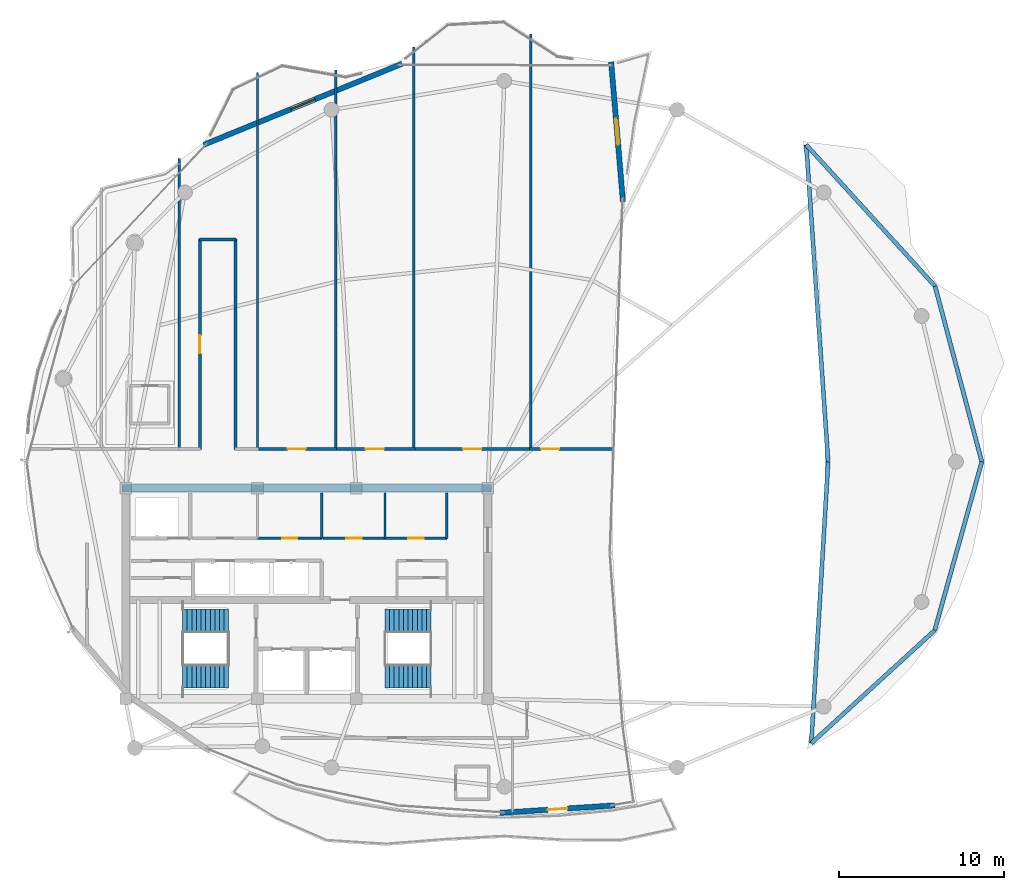
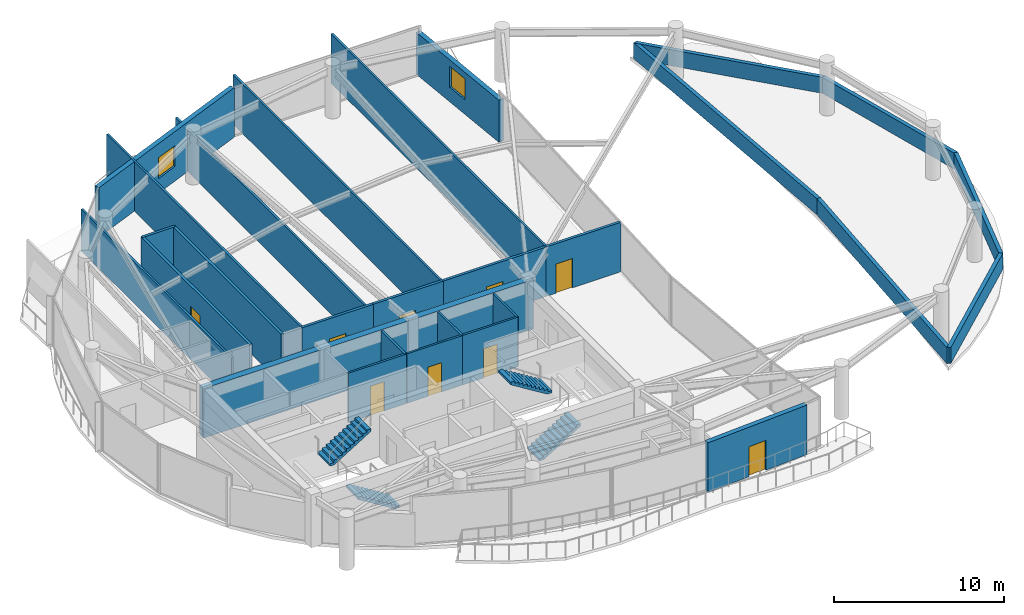
# One storey, part 20 of 23: 28 walls, 9 doors, 4 stair flights, 2 windows, 11 openings, 2 elements without a shape of their own.
"""IFC4 building model written with IfcOpenShell, lengths in metres."""

from ifc_helpers import new_model, si_unit, direction, frame, frame_2d, origin, place, context, subcontext, project, spatial, polyline, rectangle, outline, extrude, material, layer, layer_set, type_object, element, fill, aggregate, save


model = new_model("IFC4")

# Units and contexts
model_context = context("Model", 3, precision=1e-05, world=origin(), true_north=direction((0.0, 1.0)))
body_context = subcontext(model_context, "Body", "Model", "MODEL_VIEW")
ifc_project = project(units=[si_unit("LENGTHUNIT", "METRE"), si_unit("AREAUNIT", "SQUARE_METRE"), si_unit("VOLUMEUNIT", "CUBIC_METRE"), si_unit("PLANEANGLEUNIT", "RADIAN"), si_unit("MASSUNIT", "GRAM", prefix="KILO")], contexts=[model_context])

# Site, building, storey
site_placement = place(None, origin())
site = spatial("IfcSite", under=ifc_project, at=site_placement, CompositionType="ELEMENT")
building_placement = place(site_placement, origin())
building = spatial("IfcBuilding", under=site, at=building_placement, Name="Kazevale Care Tower and Concert Hall", CompositionType="ELEMENT")
storey_placement = place(building_placement, frame((0.0, 0.0, 266.199951171875)))
storey = spatial("IfcBuildingStorey", under=building, at=storey_placement, Name="L70", CompositionType="ELEMENT", Elevation=266.199951171875)

# Wall, opening, door
ifc_material_1 = material(Name="Acoustic Gypsum on Steel Stud", Category="steel")
ifc_layer_1 = layer(ifc_material_1, 0.139892578125)
ifc_layer_set_1 = layer_set([ifc_layer_1], Name="Acoustic Gypsum on Steel Stud")
wall_type_1 = type_object("IfcWallType", Name="Acoustic Care & Suite Partition 140", PredefinedType="PARTITIONING", material=ifc_layer_set_1)
wall_1_placement = place(storey_placement, frame((30.0, 33.35009765625, 0.0), z_axis=(0.0, 0.0, 1.0), x_axis=(1.0, 0.0, 0.0)))
wall_1 = element("IfcWall", 1, at=wall_1_placement, inside=storey, type_object=wall_type_1, Name="wall:L70:c_rpl2_s", PredefinedType="PARTITIONING", context=body_context, shape_type="SweptSolid", body=[
    extrude(rectangle(XDim=3.919921875, YDim=0.139892578125, at=frame_2d((1.9599609375, 0.0))), origin(), (0.0, 0.0, 1.0), 3.56005859375),
])
opening_1_placement = place(wall_1_placement, frame((1.5, 0.0, 0.0)))
opening_1 = element("IfcOpeningElement", 2, at=opening_1_placement, cuts=wall_1, Name="Opening ID-900", PredefinedType="OPENING", context=body_context, shape_type="SweptSolid", body=[
    extrude(rectangle(XDim=0.919921875, YDim=2.10009765625, at=frame_2d((0.4599609375, 1.050048828125))), frame((0.0, 0.079833984375, 0.0), z_axis=(0.0, -1.0, 0.0), x_axis=(1.0, 0.0, 0.0)), (0.0, 0.0, 1.0), 0.159912109375),
])
ifc_material_2 = material(Name="Oak Timber Fire Leaf", Category="wood")
door_type_1 = type_object("IfcDoorType", Name="Bathroom & Service Door 920x2100", OperationType="NOTDEFINED", PredefinedType="DOOR", material=ifc_material_2)
door_1_placement = place(opening_1_placement, origin())
door_1 = element("IfcDoor", 3, at=door_1_placement, inside=storey, type_object=door_type_1, Name="door:L70:d_rpl2", OperationType="SINGLE_SWING_RIGHT", OverallHeight=2.10009765625, OverallWidth=0.919921875, PredefinedType="DOOR", context=body_context, shape_type="SweptSolid", body=[
    extrude(rectangle(XDim=0.919921875, YDim=2.10009765625, at=frame_2d((0.4599609375, 1.050048828125))), frame((0.0, 0.02490234375, 0.0), z_axis=(0.0, -1.0, 0.0), x_axis=(1.0, 0.0, 0.0)), (0.0, 0.0, 1.0), 0.050048828125),
])
fill(opening_1, door_1)

# Wall
wall_2_placement = place(storey_placement, frame((33.89990234375, 33.35009765625, 0.0), z_axis=(0.0, 0.0, 1.0), x_axis=(0.0, 1.0, 0.0)))
element("IfcWall", 4, at=wall_2_placement, inside=storey, type_object=wall_type_1, Name="wall:L70:c_rpl_e", PredefinedType="PARTITIONING", context=body_context, shape_type="SweptSolid", body=[
    extrude(rectangle(XDim=2.75, YDim=0.139892578125, at=frame_2d((1.375, 0.0))), origin(), (0.0, 0.0, 1.0), 3.56005859375),
])

# Wall, opening, door
wall_3_placement = place(storey_placement, frame((33.97998046875, 33.35009765625, 0.0), z_axis=(0.0, 0.0, 1.0), x_axis=(1.0, 0.0, 0.0)))
wall_3 = element("IfcWall", 5, at=wall_3_placement, inside=storey, type_object=wall_type_1, Name="wall:L70:c_rpm1_s", PredefinedType="PARTITIONING", context=body_context, shape_type="SweptSolid", body=[
    extrude(rectangle(XDim=3.77001953125, YDim=0.139892578125, at=frame_2d((1.885009765625, 0.0))), origin(), (0.0, 0.0, 1.0), 3.56005859375),
])
opening_2_placement = place(wall_3_placement, frame((1.425048828125, 0.0, 0.0)))
opening_2 = element("IfcOpeningElement", 6, at=opening_2_placement, cuts=wall_3, Name="Opening ID-900", PredefinedType="OPENING", context=body_context, shape_type="SweptSolid", body=[
    extrude(rectangle(XDim=0.919921875, YDim=2.10009765625, at=frame_2d((0.4599609375, 1.050048828125))), frame((0.0, 0.079833984375, 0.0), z_axis=(0.0, -1.0, 0.0), x_axis=(1.0, 0.0, 0.0)), (0.0, 0.0, 1.0), 0.159912109375),
])
door_2_placement = place(opening_2_placement, origin())
door_2 = element("IfcDoor", 7, at=door_2_placement, inside=storey, type_object=door_type_1, Name="door:L70:d_rpm1", OperationType="SINGLE_SWING_LEFT", OverallHeight=2.10009765625, OverallWidth=0.919921875, PredefinedType="DOOR", context=body_context, shape_type="SweptSolid", body=[
    extrude(rectangle(XDim=0.919921875, YDim=2.10009765625, at=frame_2d((0.4599609375, 1.050048828125))), frame((0.0, 0.02490234375, 0.0), z_axis=(0.0, -1.0, 0.0), x_axis=(1.0, 0.0, 0.0)), (0.0, 0.0, 1.0), 0.050048828125),
])
fill(opening_2, door_2)

wall_4_placement = place(storey_placement, frame((37.75, 33.35009765625, 0.0), z_axis=(0.0, 0.0, 1.0), x_axis=(1.0, 0.0, 0.0)))
wall_4 = element("IfcWall", 8, at=wall_4_placement, inside=storey, type_object=wall_type_1, Name="wall:L70:c_rpm2_s", PredefinedType="PARTITIONING", context=body_context, shape_type="SweptSolid", body=[
    extrude(rectangle(XDim=3.77001953125, YDim=0.139892578125, at=frame_2d((1.885009765625, 0.0))), origin(), (0.0, 0.0, 1.0), 3.56005859375),
])
opening_3_placement = place(wall_4_placement, frame((1.425048828125, 0.0, 0.0)))
opening_3 = element("IfcOpeningElement", 9, at=opening_3_placement, cuts=wall_4, Name="Opening ID-900", PredefinedType="OPENING", context=body_context, shape_type="SweptSolid", body=[
    extrude(rectangle(XDim=0.919921875, YDim=2.10009765625, at=frame_2d((0.4599609375, 1.050048828125))), frame((0.0, 0.079833984375, 0.0), z_axis=(0.0, -1.0, 0.0), x_axis=(1.0, 0.0, 0.0)), (0.0, 0.0, 1.0), 0.159912109375),
])
door_3_placement = place(opening_3_placement, origin())
door_3 = element("IfcDoor", 10, at=door_3_placement, inside=storey, type_object=door_type_1, Name="door:L70:d_rpm2", OperationType="SINGLE_SWING_RIGHT", OverallHeight=2.10009765625, OverallWidth=0.919921875, PredefinedType="DOOR", context=body_context, shape_type="SweptSolid", body=[
    extrude(rectangle(XDim=0.919921875, YDim=2.10009765625, at=frame_2d((0.4599609375, 1.050048828125))), frame((0.0, 0.02490234375, 0.0), z_axis=(0.0, -1.0, 0.0), x_axis=(1.0, 0.0, 0.0)), (0.0, 0.0, 1.0), 0.050048828125),
])
fill(opening_3, door_3)

# Walls
for number, where, z_axis, x_axis, name in (
    (11, (37.75, 33.35009765625, 0.0), (0.0, 0.0, 1.0), (0.0, 1.0, 0.0), "wall:L70:c_rpm_m"),
    (12, (41.5, 33.35009765625, 0.0), (0.0, 0.0, 1.0), (0.0, 1.0, 0.0), "wall:L70:c_rpm_e"),
):
    element("IfcWall", number, at=place(storey_placement, frame(where, z_axis=z_axis, x_axis=x_axis)), inside=storey, type_object=wall_type_1, Name=name, PredefinedType="PARTITIONING", context=body_context, shape_type="SweptSolid", body=[
        extrude(rectangle(XDim=2.75, YDim=0.139892578125, at=frame_2d((1.375, 0.0))), origin(), (0.0, 0.0, 1.0), 3.56005859375),
    ])
wall_5_placement = place(storey_placement, frame((25.25, 56.445068359375, 0.0), z_axis=(0.0, 0.0, 1.0), x_axis=(0.0, -1.0, 0.0)))
element("IfcWall", 13, at=wall_5_placement, inside=storey, type_object=wall_type_1, Name="wall:L70:auto_017", PredefinedType="PARTITIONING", context=body_context, shape_type="SweptSolid", body=[
    extrude(rectangle(XDim=17.699951171875, YDim=0.139892578125, at=frame_2d((8.85009765625, 0.0))), origin(), (0.0, 0.0, 1.0), 3.006103515625),
])
wall_6_placement = place(storey_placement, frame((30.0, 61.6640625, 0.0), z_axis=(0.0, 0.0, 1.0), x_axis=(0.0, -1.0, 0.0)))
element("IfcWall", 14, at=wall_6_placement, inside=storey, type_object=wall_type_1, Name="wall:L70:auto_018", PredefinedType="PARTITIONING", context=body_context, shape_type="SweptSolid", body=[
    extrude(rectangle(XDim=22.9189453125, YDim=0.139892578125, at=frame_2d((11.45947265625, 0.0))), origin(), (0.0, 0.0, 1.0), 3.56005859375),
])
wall_7_placement = place(storey_placement, frame((34.75, 61.80810546875, 0.0), z_axis=(0.0, 0.0, 1.0), x_axis=(0.0, -1.0, 0.0)))
element("IfcWall", 15, at=wall_7_placement, inside=storey, type_object=wall_type_1, Name="wall:L70:auto_019", PredefinedType="PARTITIONING", context=body_context, shape_type="SweptSolid", body=[
    extrude(rectangle(XDim=23.06298828125, YDim=0.139892578125, at=frame_2d((11.531494140625, 0.0))), origin(), (0.0, 0.0, 1.0), 3.006103515625),
])
wall_8_placement = place(storey_placement, frame((39.5, 63.222900390625, 0.0), z_axis=(0.0, 0.0, 1.0), x_axis=(0.0, -1.0, 0.0)))
element("IfcWall", 16, at=wall_8_placement, inside=storey, type_object=wall_type_1, Name="wall:L70:auto_020", PredefinedType="PARTITIONING", context=body_context, shape_type="SweptSolid", body=[
    extrude(rectangle(XDim=24.477783203125, YDim=0.139892578125, at=frame_2d((12.23876953125, 0.0))), origin(), (0.0, 0.0, 1.0), 3.56005859375),
])
wall_9_placement = place(storey_placement, frame((46.60009765625, 63.985107421875, 0.0), z_axis=(0.0, 0.0, 1.0), x_axis=(0.0, -1.0, 0.0)))
element("IfcWall", 17, at=wall_9_placement, inside=storey, type_object=wall_type_1, Name="wall:L70:auto_021", PredefinedType="PARTITIONING", context=body_context, shape_type="SweptSolid", body=[
    extrude(rectangle(XDim=25.239990234375, YDim=0.139892578125, at=frame_2d((12.6201171875, 0.0))), origin(), (0.0, 0.0, 1.0), 3.56005859375),
])
ifc_material_3 = material(Name="Concrete C50", Category="concrete")
ifc_layer_2 = layer(ifc_material_3, 0.449951171875)
ifc_layer_set_2 = layer_set([ifc_layer_2], Name="Concrete C50")
wall_type_2 = type_object("IfcWallType", Name="Core Shear Wall 450 C50", PredefinedType="SHEAR", material=ifc_layer_set_2)
wall_10_placement = place(storey_placement, frame((21.77490234375, 36.39990234375, 0.0), z_axis=(0.0, 0.0, 1.0), x_axis=(1.0, 0.0, 0.0)))
element("IfcWall", 18, at=wall_10_placement, inside=storey, type_object=wall_type_2, Name="wall:L70:core:N", PredefinedType="SHEAR", context=body_context, shape_type="SweptSolid", body=[
    extrude(rectangle(XDim=22.4501953125, YDim=0.449951171875, at=frame_2d((11.22509765625, 0.0))), origin(), (0.0, 0.0, 1.0), 3.56005859375),
])

# Wall, opening, door
ifc_material_4 = material(Name="Concrete C40 and Acoustic Gypsum", Category="concrete")
ifc_layer_3 = layer(ifc_material_4, 0.179931640625)
ifc_layer_set_3 = layer_set([ifc_layer_3], Name="Concrete C40 and Acoustic Gypsum")
wall_type_3 = type_object("IfcWallType", Name="Fire-Rated Corridor & Party Wall 180", PredefinedType="PARTITIONING", material=ifc_layer_set_3)
wall_11_placement = place(storey_placement, frame((26.5, 38.7451171875, 0.0), z_axis=(0.0, 0.0, 1.0), x_axis=(0.0, 1.0, 0.0)))
wall_11 = element("IfcWall", 19, at=wall_11_placement, inside=storey, type_object=wall_type_3, Name="wall:L70:auto_003", PredefinedType="PARTITIONING", context=body_context, shape_type="SweptSolid", body=[
    extrude(rectangle(XDim=12.784912109375, YDim=0.179931640625, at=frame_2d((6.392578125, 0.0))), origin(), (0.0, 0.0, 1.0), 3.56005859375),
])
opening_4_placement = place(wall_11_placement, frame((5.843017578125, 0.0, 0.0)))
opening_4 = element("IfcOpeningElement", 20, at=opening_4_placement, cuts=wall_11, Name="Opening ID-1100", PredefinedType="OPENING", context=body_context, shape_type="SweptSolid", body=[
    extrude(rectangle(XDim=1.10009765625, YDim=2.10009765625, at=frame_2d((0.550048828125, 1.050048828125))), frame((0.0, 0.099853515625, 0.0), z_axis=(0.0, -1.0, 0.0), x_axis=(1.0, 0.0, 0.0)), (0.0, 0.0, 1.0), 0.199951171875),
])
door_type_2 = type_object("IfcDoorType", Name="Care Bedroom Accessible Door 1100x2100", OperationType="NOTDEFINED", PredefinedType="DOOR", material=ifc_material_2)
door_4_placement = place(opening_4_placement, origin())
door_4 = element("IfcDoor", 21, at=door_4_placement, inside=storey, type_object=door_type_2, Name="door:L70:ad_003", OperationType="SINGLE_SWING_LEFT", OverallHeight=2.10009765625, OverallWidth=1.10009765625, PredefinedType="DOOR", context=body_context, shape_type="SweptSolid", body=[
    extrude(rectangle(XDim=1.10009765625, YDim=2.10009765625, at=frame_2d((0.550048828125, 1.050048828125))), frame((0.0, 0.02490234375, 0.0), z_axis=(0.0, -1.0, 0.0), x_axis=(1.0, 0.0, 0.0)), (0.0, 0.0, 1.0), 0.050048828125),
])
fill(opening_4, door_4)

# Walls
wall_12_placement = place(storey_placement, frame((28.64990234375, 51.530029296875, 0.0), z_axis=(0.0, 0.0, 1.0), x_axis=(0.0, -1.0, 0.0)))
element("IfcWall", 22, at=wall_12_placement, inside=storey, type_object=wall_type_3, Name="wall:L70:auto_004", PredefinedType="PARTITIONING", context=body_context, shape_type="SweptSolid", body=[
    extrude(rectangle(XDim=12.784912109375, YDim=0.179931640625, at=frame_2d((6.392578125, 0.0))), origin(), (0.0, 0.0, 1.0), 3.56005859375),
])
wall_13_placement = place(storey_placement, frame((26.469970703125, 51.5, 0.0), z_axis=(0.0, 0.0, 1.0), x_axis=(1.0, 0.0, 0.0)))
element("IfcWall", 23, at=wall_13_placement, inside=storey, type_object=wall_type_3, Name="wall:L70:auto_005", PredefinedType="PARTITIONING", context=body_context, shape_type="SweptSolid", body=[
    extrude(rectangle(XDim=2.2099609375, YDim=0.179931640625, at=frame_2d((1.10498046875, 0.0))), origin(), (0.0, 0.0, 1.0), 3.56005859375),
])

# Wall, opening, door
wall_14_placement = place(storey_placement, frame((29.93505859375, 38.77490234375, 0.0), z_axis=(0.0, 0.0, 1.0), x_axis=(1.0, 0.0, 0.0)))
wall_14 = element("IfcWall", 24, at=wall_14_placement, inside=storey, type_object=wall_type_3, Name="wall:L70:auto_008", PredefinedType="PARTITIONING", context=body_context, shape_type="SweptSolid", body=[
    extrude(rectangle(XDim=4.8798828125, YDim=0.179931640625, at=frame_2d((2.43994140625, 0.0))), origin(), (0.0, 0.0, 1.0), 3.56005859375),
])
opening_5_placement = place(wall_14_placement, frame((1.889892578125, 0.0, 0.0)))
opening_5 = element("IfcOpeningElement", 25, at=opening_5_placement, cuts=wall_14, Name="Opening ID-1100", PredefinedType="OPENING", context=body_context, shape_type="SweptSolid", body=[
    extrude(rectangle(XDim=1.10009765625, YDim=2.10009765625, at=frame_2d((0.550048828125, 1.050048828125))), frame((0.0, 0.099853515625, 0.0), z_axis=(0.0, -1.0, 0.0), x_axis=(1.0, 0.0, 0.0)), (0.0, 0.0, 1.0), 0.199951171875),
])
door_5_placement = place(opening_5_placement, origin())
door_5 = element("IfcDoor", 26, at=door_5_placement, inside=storey, type_object=door_type_2, Name="door:L70:ad_008", OperationType="SINGLE_SWING_LEFT", OverallHeight=2.10009765625, OverallWidth=1.10009765625, PredefinedType="DOOR", context=body_context, shape_type="SweptSolid", body=[
    extrude(rectangle(XDim=1.10009765625, YDim=2.10009765625, at=frame_2d((0.550048828125, 1.050048828125))), frame((0.0, 0.02490234375, 0.0), z_axis=(0.0, -1.0, 0.0), x_axis=(1.0, 0.0, 0.0)), (0.0, 0.0, 1.0), 0.050048828125),
])
fill(opening_5, door_5)

wall_15_placement = place(storey_placement, frame((34.68505859375, 38.77490234375, 0.0), z_axis=(0.0, 0.0, 1.0), x_axis=(1.0, 0.0, 0.0)))
wall_15 = element("IfcWall", 27, at=wall_15_placement, inside=storey, type_object=wall_type_3, Name="wall:L70:auto_009", PredefinedType="PARTITIONING", context=body_context, shape_type="SweptSolid", body=[
    extrude(rectangle(XDim=4.8798828125, YDim=0.179931640625, at=frame_2d((2.43994140625, 0.0))), origin(), (0.0, 0.0, 1.0), 3.56005859375),
])
opening_6_placement = place(wall_15_placement, frame((1.889892578125, 0.0, 0.0)))
opening_6 = element("IfcOpeningElement", 28, at=opening_6_placement, cuts=wall_15, Name="Opening ID-1100", PredefinedType="OPENING", context=body_context, shape_type="SweptSolid", body=[
    extrude(rectangle(XDim=1.10009765625, YDim=2.10009765625, at=frame_2d((0.550048828125, 1.050048828125))), frame((0.0, 0.099853515625, 0.0), z_axis=(0.0, -1.0, 0.0), x_axis=(1.0, 0.0, 0.0)), (0.0, 0.0, 1.0), 0.199951171875),
])
door_6_placement = place(opening_6_placement, origin())
door_6 = element("IfcDoor", 29, at=door_6_placement, inside=storey, type_object=door_type_2, Name="door:L70:ad_009", OperationType="SINGLE_SWING_LEFT", OverallHeight=2.10009765625, OverallWidth=1.10009765625, PredefinedType="DOOR", context=body_context, shape_type="SweptSolid", body=[
    extrude(rectangle(XDim=1.10009765625, YDim=2.10009765625, at=frame_2d((0.550048828125, 1.050048828125))), frame((0.0, 0.02490234375, 0.0), z_axis=(0.0, -1.0, 0.0), x_axis=(1.0, 0.0, 0.0)), (0.0, 0.0, 1.0), 0.050048828125),
])
fill(opening_6, door_6)

wall_16_placement = place(storey_placement, frame((39.43505859375, 38.77490234375, 0.0), z_axis=(0.0, 0.0, 1.0), x_axis=(1.0, 0.0, 0.0)))
wall_16 = element("IfcWall", 30, at=wall_16_placement, inside=storey, type_object=wall_type_3, Name="wall:L70:auto_010", PredefinedType="PARTITIONING", context=body_context, shape_type="SweptSolid", body=[
    extrude(rectangle(XDim=7.22998046875, YDim=0.179931640625, at=frame_2d((3.614990234375, 0.0))), origin(), (0.0, 0.0, 1.0), 3.56005859375),
])
opening_7_placement = place(wall_16_placement, frame((3.06494140625, 0.0, 0.0)))
opening_7 = element("IfcOpeningElement", 31, at=opening_7_placement, cuts=wall_16, Name="Opening ID-1100", PredefinedType="OPENING", context=body_context, shape_type="SweptSolid", body=[
    extrude(rectangle(XDim=1.10009765625, YDim=2.10009765625, at=frame_2d((0.550048828125, 1.050048828125))), frame((0.0, 0.099853515625, 0.0), z_axis=(0.0, -1.0, 0.0), x_axis=(1.0, 0.0, 0.0)), (0.0, 0.0, 1.0), 0.199951171875),
])
door_7_placement = place(opening_7_placement, origin())
door_7 = element("IfcDoor", 32, at=door_7_placement, inside=storey, type_object=door_type_2, Name="door:L70:ad_010", OperationType="SINGLE_SWING_LEFT", OverallHeight=2.10009765625, OverallWidth=1.10009765625, PredefinedType="DOOR", context=body_context, shape_type="SweptSolid", body=[
    extrude(rectangle(XDim=1.10009765625, YDim=2.10009765625, at=frame_2d((0.550048828125, 1.050048828125))), frame((0.0, 0.02490234375, 0.0), z_axis=(0.0, -1.0, 0.0), x_axis=(1.0, 0.0, 0.0)), (0.0, 0.0, 1.0), 0.050048828125),
])
fill(opening_7, door_7)

wall_17_placement = place(storey_placement, frame((46.534912109375, 38.77490234375, 0.0), z_axis=(0.0, 0.0, 1.0), x_axis=(1.0, 0.0, 0.0)))
wall_17 = element("IfcWall", 33, at=wall_17_placement, inside=storey, type_object=wall_type_3, Name="wall:L70:auto_011", PredefinedType="PARTITIONING", context=body_context, shape_type="SweptSolid", body=[
    extrude(rectangle(XDim=5.10107421875, YDim=0.179931640625, at=frame_2d((2.550537109375, 0.0))), origin(), (0.0, 0.0, 1.0), 3.56005859375),
])
opening_8_placement = place(wall_17_placement, frame((0.697998046875, 0.0, 0.0)))
opening_8 = element("IfcOpeningElement", 34, at=opening_8_placement, cuts=wall_17, Name="Opening ID-1100", PredefinedType="OPENING", context=body_context, shape_type="SweptSolid", body=[
    extrude(rectangle(XDim=1.10009765625, YDim=2.10009765625, at=frame_2d((0.550048828125, 1.050048828125))), frame((0.0, 0.099853515625, 0.0), z_axis=(0.0, -1.0, 0.0), x_axis=(1.0, 0.0, 0.0)), (0.0, 0.0, 1.0), 0.199951171875),
])
door_8_placement = place(opening_8_placement, origin())
door_8 = element("IfcDoor", 35, at=door_8_placement, inside=storey, type_object=door_type_2, Name="door:L70:ad_011", OperationType="SINGLE_SWING_LEFT", OverallHeight=2.10009765625, OverallWidth=1.10009765625, PredefinedType="DOOR", context=body_context, shape_type="SweptSolid", body=[
    extrude(rectangle(XDim=1.10009765625, YDim=2.10009765625, at=frame_2d((0.550048828125, 1.050048828125))), frame((0.0, 0.02490234375, 0.0), z_axis=(0.0, -1.0, 0.0), x_axis=(1.0, 0.0, 0.0)), (0.0, 0.0, 1.0), 0.050048828125),
])
fill(opening_8, door_8)

# Walls
ifc_material_5 = material(Name="Concrete C40 with Honed Limestone Cladding", Category="masonry")
ifc_layer_4 = layer(ifc_material_5, 0.25)
ifc_layer_set_4 = layer_set([ifc_layer_4], Name="Concrete C40 with Honed Limestone Cladding")
wall_type_4 = type_object("IfcWallType", Name="Roof Limestone Parapet Wall 250", PredefinedType="PARAPET", material=ifc_layer_set_4)
wall_18_placement = place(storey_placement, frame((63.345947265625, 57.26806640625, 0.0), z_axis=(0.0, 0.0, 1.0), x_axis=(0.673543780107, -0.739147330563, 0.0)))
element("IfcWall", 36, at=wall_18_placement, inside=storey, type_object=wall_type_4, Name="wall:L70:pier_par:1", PredefinedType="PARAPET", context=body_context, shape_type="SweptSolid", body=[
    extrude(rectangle(XDim=11.629638671875, YDim=0.25, at=frame_2d((5.81494140625, 0.0))), origin(), (0.0, 0.0, 1.0), 1.150146484375),
])
wall_19_placement = place(storey_placement, frame((71.178955078125, 48.672119140625, 0.0), z_axis=(0.0, 0.0, 1.0), x_axis=(0.257253977303, -0.966343826576, 0.0)))
element("IfcWall", 37, at=wall_19_placement, inside=storey, type_object=wall_type_4, Name="wall:L70:pier_par:2", PredefinedType="PARAPET", context=body_context, shape_type="SweptSolid", body=[
    extrude(rectangle(XDim=11.043701171875, YDim=0.25, at=frame_2d((5.52197265625, 0.0))), origin(), (0.0, 0.0, 1.0), 1.150146484375),
])
wall_20_placement = place(storey_placement, frame((74.02001953125, 38.0, 0.0), z_axis=(0.0, 0.0, 1.0), x_axis=(-0.269217194028, -0.96307948916, 0.0)))
element("IfcWall", 38, at=wall_20_placement, inside=storey, type_object=wall_type_4, Name="wall:L70:pier_par:3", PredefinedType="PARAPET", context=body_context, shape_type="SweptSolid", body=[
    extrude(rectangle(XDim=10.641845703125, YDim=0.25, at=frame_2d((5.32080078125, 0.0))), origin(), (0.0, 0.0, 1.0), 1.150146484375),
])
wall_21_placement = place(storey_placement, frame((71.155029296875, 27.7509765625, 0.0), z_axis=(0.0, 0.0, 1.0), x_axis=(-0.738078707826, -0.674714621936, 0.0)))
element("IfcWall", 39, at=wall_21_placement, inside=storey, type_object=wall_type_4, Name="wall:L70:pier_par:4", PredefinedType="PARAPET", context=body_context, shape_type="SweptSolid", body=[
    extrude(rectangle(XDim=10.1640625, YDim=0.25, at=frame_2d((5.08203125, 0.0))), origin(), (0.0, 0.0, 1.0), 1.150146484375),
])
wall_22_placement = place(storey_placement, frame((63.653076171875, 20.89306640625, 0.0), z_axis=(0.0, 0.0, 1.0), x_axis=(0.059917841169, 0.998203312111, 0.0)))
element("IfcWall", 40, at=wall_22_placement, inside=storey, type_object=wall_type_4, Name="wall:L70:pier_par:5", PredefinedType="PARAPET", context=body_context, shape_type="SweptSolid", body=[
    extrude(rectangle(XDim=17.1376953125, YDim=0.25, at=frame_2d((8.56884765625, 0.0))), origin(), (0.0, 0.0, 1.0), 1.150146484375),
])
wall_23_placement = place(storey_placement, frame((64.679931640625, 38.0, 0.0), z_axis=(0.0, 0.0, 1.0), x_axis=(-0.069067584142, 0.997611983098, 0.0)))
element("IfcWall", 41, at=wall_23_placement, inside=storey, type_object=wall_type_4, Name="wall:L70:pier_par:6", PredefinedType="PARAPET", context=body_context, shape_type="SweptSolid", body=[
    extrude(rectangle(XDim=19.314208984375, YDim=0.25, at=frame_2d((9.6572265625, 0.0))), origin(), (0.0, 0.0, 1.0), 1.150146484375),
])

# Wall, opening, door
ifc_layer_5 = layer(ifc_material_5, 0.320068359375)
ifc_layer_set_5 = layer_set([ifc_layer_5], Name="Concrete C40 with Honed Limestone Cladding")
wall_type_5 = type_object("IfcWallType", Name="Tower Honed Limestone Spandrel Wall 320", PredefinedType="STANDARD", material=ifc_layer_set_5)
wall_24_placement = place(storey_placement, frame((51.73291015625, 17.118896484375, 0.0), z_axis=(0.0, 0.0, 1.0), x_axis=(-0.997881827293, -0.065052738278, 0.0)))
wall_24 = element("IfcWall", 42, at=wall_24_placement, inside=storey, type_object=wall_type_5, Name="wall:L70:bal_host", PredefinedType="STANDARD", context=body_context, shape_type="SweptSolid", body=[
    extrude(rectangle(XDim=7.0068359375, YDim=0.320068359375, at=frame_2d((3.50341796875, 0.0))), origin(), (0.0, 0.0, 1.0), 3.56005859375),
])
opening_9_placement = place(wall_24_placement, frame((2.904052734375, 0.0, 0.0)))
opening_9 = element("IfcOpeningElement", 43, at=opening_9_placement, cuts=wall_24, Name="Opening BD-1200", PredefinedType="OPENING", context=body_context, shape_type="SweptSolid", body=[
    extrude(rectangle(XDim=1.199951171875, YDim=2.14990234375, at=frame_2d((0.60009765625, 1.074951171875))), frame((0.0, 0.169921875, 0.0), z_axis=(0.0, -1.0, 0.0), x_axis=(1.0, 0.0, 0.0)), (0.0, 0.0, 1.0), 0.340087890625),
])
ifc_material_6 = material(Name="Aluminium 6063-T6 and Low-E Glass", Category="aluminium")
door_type_3 = type_object("IfcDoorType", Name="Sheltered Balcony Glazed Door 1200x2150", OperationType="NOTDEFINED", PredefinedType="DOOR", material=ifc_material_6)
door_9_placement = place(opening_9_placement, origin())
door_9 = element("IfcDoor", 44, at=door_9_placement, inside=storey, type_object=door_type_3, Name="door:L70:BD-1", OperationType="SINGLE_SWING_LEFT", OverallHeight=2.14990234375, OverallWidth=1.199951171875, PredefinedType="DOOR", context=body_context, shape_type="SweptSolid", body=[
    extrude(rectangle(XDim=1.199951171875, YDim=2.14990234375, at=frame_2d((0.60009765625, 1.074951171875))), frame((0.0, 0.02490234375, 0.0), z_axis=(0.0, -1.0, 0.0), x_axis=(1.0, 0.0, 0.0)), (0.0, 0.0, 1.0), 0.050048828125),
])
fill(opening_9, door_9)

# Wall, opening, window
wall_25_placement = place(storey_placement, frame((26.73193359375, 57.26708984375, 0.0), z_axis=(0.0, 0.0, 1.0), x_axis=(0.925709313248, 0.37823572989, 0.0)))
wall_25 = element("IfcWall", 45, at=wall_25_placement, inside=storey, type_object=wall_type_5, Name="wall:L70:cbox:11", PredefinedType="STANDARD", context=body_context, shape_type="SweptSolid", body=[
    extrude(rectangle(XDim=13.023681640625, YDim=0.320068359375, at=frame_2d((6.51171875, 0.0))), origin(), (0.0, 0.0, 1.0), 3.56005859375),
])
opening_10_placement = place(wall_25_placement, frame((5.7119140625, 0.0, 1.050048828125)))
opening_10 = element("IfcOpeningElement", 46, at=opening_10_placement, cuts=wall_25, Name="Opening WIN-1", PredefinedType="OPENING", context=body_context, shape_type="SweptSolid", body=[
    extrude(rectangle(XDim=1.60009765625, YDim=1.5, at=frame_2d((0.800048828125, 0.75))), frame((0.0, 0.169921875, 0.0), z_axis=(0.0, -1.0, 0.0), x_axis=(1.0, 0.0, 0.0)), (0.0, 0.0, 1.0), 0.340087890625),
])
ifc_material_7 = material(Name="Low-E Laminated Glass", Category="glass")
window_type = type_object("IfcWindowType", Name="Convex Box Deep-Set Window 1600x1500", PartitioningType="DOUBLE_PANEL_VERTICAL", PredefinedType="WINDOW", material=ifc_material_7)
window_1_placement = place(opening_10_placement, origin())
window_1 = element("IfcWindow", 47, at=window_1_placement, inside=storey, type_object=window_type, Name="win:L70:cbox:11", OverallHeight=1.5, OverallWidth=1.60009765625, PartitioningType="SINGLE_PANEL", PredefinedType="WINDOW", context=body_context, shape_type="SweptSolid", body=[
    extrude(rectangle(XDim=1.60009765625, YDim=1.5, at=frame_2d((0.800048828125, 0.75))), frame((0.0, 0.030029296875, 0.0), z_axis=(0.0, -1.0, 0.0), x_axis=(1.0, 0.0, 0.0)), (0.0, 0.0, 1.0), 0.06005859375),
])
fill(opening_10, window_1)

wall_26_placement = place(storey_placement, frame((51.490966796875, 62.31103515625, 0.0), z_axis=(0.0, 0.0, 1.0), x_axis=(0.084311249843, -0.99643946788, 0.0)))
wall_26 = element("IfcWall", 48, at=wall_26_placement, inside=storey, type_object=wall_type_5, Name="wall:L70:cbox:13", PredefinedType="STANDARD", context=body_context, shape_type="SweptSolid", body=[
    extrude(rectangle(XDim=8.53955078125, YDim=0.320068359375, at=frame_2d((4.269775390625, 0.0))), origin(), (0.0, 0.0, 1.0), 3.01708984375),
])
opening_11_placement = place(wall_26_placement, frame((3.469970703125, 0.0, 1.050048828125)))
opening_11 = element("IfcOpeningElement", 49, at=opening_11_placement, cuts=wall_26, Name="Opening WIN-1", PredefinedType="OPENING", context=body_context, shape_type="SweptSolid", body=[
    extrude(rectangle(XDim=1.60009765625, YDim=1.5, at=frame_2d((0.800048828125, 0.75))), frame((0.0, 0.169921875, 0.0), z_axis=(0.0, -1.0, 0.0), x_axis=(1.0, 0.0, 0.0)), (0.0, 0.0, 1.0), 0.340087890625),
])
window_2_placement = place(opening_11_placement, origin())
window_2 = element("IfcWindow", 50, at=window_2_placement, inside=storey, type_object=window_type, Name="win:L70:cbox:13", OverallHeight=1.5, OverallWidth=1.60009765625, PartitioningType="SINGLE_PANEL", PredefinedType="WINDOW", context=body_context, shape_type="SweptSolid", body=[
    extrude(rectangle(XDim=1.60009765625, YDim=1.5, at=frame_2d((0.800048828125, 0.75))), frame((0.0, 0.030029296875, 0.0), z_axis=(0.0, -1.0, 0.0), x_axis=(1.0, 0.0, 0.0)), (0.0, 0.0, 1.0), 0.06005859375),
])
fill(opening_11, window_2)

# Stair, stair flights
ifc_material_8 = material(Name="Concrete C40", Category="concrete")
stair_type = type_object("IfcStairType", Name="Exit Stair Assembly ST1-U", PredefinedType="HALF_TURN_STAIR", material=ifc_material_8)
stair_1_placement = place(storey_placement, origin())
stair_1 = element("IfcStair", 51, at=stair_1_placement, inside=storey, type_object=stair_type, Name="stair:L70:ST1", PredefinedType="HALF_TURN_STAIR")
ifc_layer_6 = layer(ifc_material_8, 0.159912109375)
ifc_layer_set_6 = layer_set([ifc_layer_6], Name="Concrete C40")
stair_flight_type = type_object("IfcStairFlightType", Name="Exit Stair Flight ST1-U", PredefinedType="STRAIGHT", material=ifc_layer_set_6)
stair_flight_1_placement = place(storey_placement, frame((28.25, 24.969970703125, 0.0), z_axis=(0.0, 0.0, 1.0), x_axis=(-1.0, 0.0, 0.0)))
stair_flight_1 = element("IfcStairFlight", 52, at=stair_flight_1_placement, type_object=stair_flight_type, Name="ST1-U flight 1", NumberOfRisers=11, NumberOfTreads=10, PredefinedType="STRAIGHT", RiserHeight=0.172727, TreadLength=0.28, context=body_context, shape_type="SweptSolid", body=[
    extrude(outline(polyline([(0.0, 0.0), (0.0, 0.172607421875), (0.280029296875, 0.172607421875), (0.280029296875, 0.345458984375), (0.56005859375, 0.345458984375), (0.56005859375, 0.51806640625), (0.840087890625, 0.51806640625), (0.840087890625, 0.69091796875), (1.1201171875, 0.69091796875), (1.1201171875, 0.863525390625), (1.39990234375, 0.863525390625), (1.39990234375, 1.036376953125), (1.679931640625, 1.036376953125), (1.679931640625, 1.208984375), (1.9599609375, 1.208984375), (1.9599609375, 1.3818359375), (2.239990234375, 1.3818359375), (2.239990234375, 1.554443359375), (2.52001953125, 1.554443359375), (2.52001953125, 1.727294921875), (2.800048828125, 1.727294921875), (2.800048828125, 1.89990234375), (2.800048828125, 1.539306640625), (0.3046875, 0.0), (0.0, 0.0)])), frame((0.0, 0.719970703125, 0.0), z_axis=(0.0, -1.0, 0.0), x_axis=(1.0, 0.0, 0.0)), (0.0, 0.0, 1.0), 1.43994140625),
])
stair_flight_2_placement = place(storey_placement, frame((25.449951171875, 28.330078125, 1.900146484375), z_axis=(0.0, 0.0, 1.0), x_axis=(1.0, 0.0, 0.0)))
stair_flight_2 = element("IfcStairFlight", 53, at=stair_flight_2_placement, type_object=stair_flight_type, Name="ST1-U flight 2", NumberOfRisers=11, NumberOfTreads=10, PredefinedType="STRAIGHT", RiserHeight=0.172727, TreadLength=0.28, context=body_context, shape_type="SweptSolid", body=[
    extrude(outline(polyline([(0.0, 0.0), (0.0, 0.172607421875), (0.280029296875, 0.172607421875), (0.280029296875, 0.345458984375), (0.56005859375, 0.345458984375), (0.56005859375, 0.51806640625), (0.840087890625, 0.51806640625), (0.840087890625, 0.69091796875), (1.1201171875, 0.69091796875), (1.1201171875, 0.863525390625), (1.39990234375, 0.863525390625), (1.39990234375, 1.036376953125), (1.679931640625, 1.036376953125), (1.679931640625, 1.208984375), (1.9599609375, 1.208984375), (1.9599609375, 1.3818359375), (2.239990234375, 1.3818359375), (2.239990234375, 1.554443359375), (2.52001953125, 1.554443359375), (2.52001953125, 1.727294921875), (2.800048828125, 1.727294921875), (2.800048828125, 1.89990234375), (2.800048828125, 1.539306640625), (0.3046875, 0.0), (0.0, 0.0)])), frame((0.0, 0.719970703125, 0.0), z_axis=(0.0, -1.0, 0.0), x_axis=(1.0, 0.0, 0.0)), (0.0, 0.0, 1.0), 1.43994140625),
])
aggregate(stair_1, [stair_flight_1, stair_flight_2])

stair_2_placement = place(storey_placement, origin())
stair_2 = element("IfcStair", 54, at=stair_2_placement, inside=storey, type_object=stair_type, Name="stair:L70:ST2", PredefinedType="HALF_TURN_STAIR")
stair_flight_3_placement = place(storey_placement, frame((37.75, 24.969970703125, 0.0), z_axis=(0.0, 0.0, 1.0), x_axis=(1.0, 0.0, 0.0)))
stair_flight_3 = element("IfcStairFlight", 55, at=stair_flight_3_placement, type_object=stair_flight_type, Name="ST1-U flight 1", NumberOfRisers=11, NumberOfTreads=10, PredefinedType="STRAIGHT", RiserHeight=0.172727, TreadLength=0.28, context=body_context, shape_type="SweptSolid", body=[
    extrude(outline(polyline([(0.0, 0.0), (0.0, 0.172607421875), (0.280029296875, 0.172607421875), (0.280029296875, 0.345458984375), (0.56005859375, 0.345458984375), (0.56005859375, 0.51806640625), (0.840087890625, 0.51806640625), (0.840087890625, 0.69091796875), (1.1201171875, 0.69091796875), (1.1201171875, 0.863525390625), (1.39990234375, 0.863525390625), (1.39990234375, 1.036376953125), (1.679931640625, 1.036376953125), (1.679931640625, 1.208984375), (1.9599609375, 1.208984375), (1.9599609375, 1.3818359375), (2.239990234375, 1.3818359375), (2.239990234375, 1.554443359375), (2.52001953125, 1.554443359375), (2.52001953125, 1.727294921875), (2.800048828125, 1.727294921875), (2.800048828125, 1.89990234375), (2.800048828125, 1.539306640625), (0.3046875, 0.0), (0.0, 0.0)])), frame((0.0, 0.719970703125, 0.0), z_axis=(0.0, -1.0, 0.0), x_axis=(1.0, 0.0, 0.0)), (0.0, 0.0, 1.0), 1.43994140625),
])
stair_flight_4_placement = place(storey_placement, frame((40.550048828125, 28.330078125, 1.900146484375), z_axis=(0.0, 0.0, 1.0), x_axis=(-1.0, 0.0, 0.0)))
stair_flight_4 = element("IfcStairFlight", 56, at=stair_flight_4_placement, type_object=stair_flight_type, Name="ST1-U flight 2", NumberOfRisers=11, NumberOfTreads=10, PredefinedType="STRAIGHT", RiserHeight=0.172727, TreadLength=0.28, context=body_context, shape_type="SweptSolid", body=[
    extrude(outline(polyline([(0.0, 0.0), (0.0, 0.172607421875), (0.280029296875, 0.172607421875), (0.280029296875, 0.345458984375), (0.56005859375, 0.345458984375), (0.56005859375, 0.51806640625), (0.840087890625, 0.51806640625), (0.840087890625, 0.69091796875), (1.1201171875, 0.69091796875), (1.1201171875, 0.863525390625), (1.39990234375, 0.863525390625), (1.39990234375, 1.036376953125), (1.679931640625, 1.036376953125), (1.679931640625, 1.208984375), (1.9599609375, 1.208984375), (1.9599609375, 1.3818359375), (2.239990234375, 1.3818359375), (2.239990234375, 1.554443359375), (2.52001953125, 1.554443359375), (2.52001953125, 1.727294921875), (2.800048828125, 1.727294921875), (2.800048828125, 1.89990234375), (2.800048828125, 1.539306640625), (0.3046875, 0.0), (0.0, 0.0)])), frame((0.0, 0.719970703125, 0.0), z_axis=(0.0, -1.0, 0.0), x_axis=(1.0, 0.0, 0.0)), (0.0, 0.0, 1.0), 1.43994140625),
])
aggregate(stair_2, [stair_flight_3, stair_flight_4])

save(model, "model.ifc")
